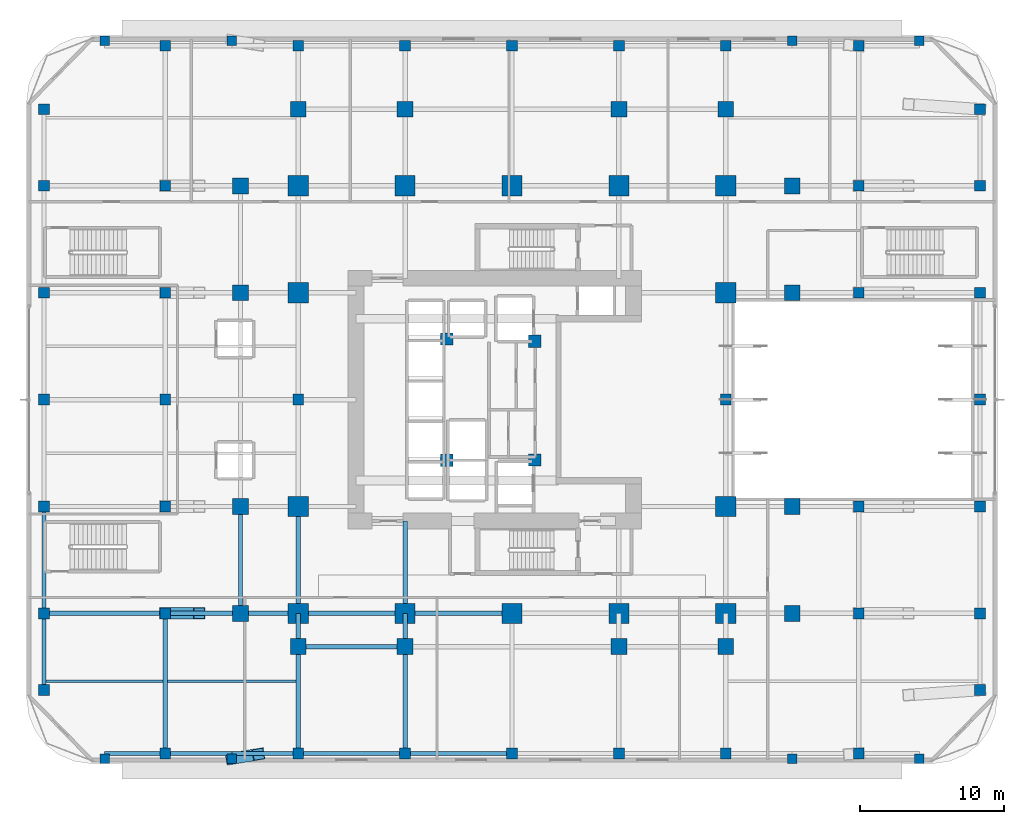
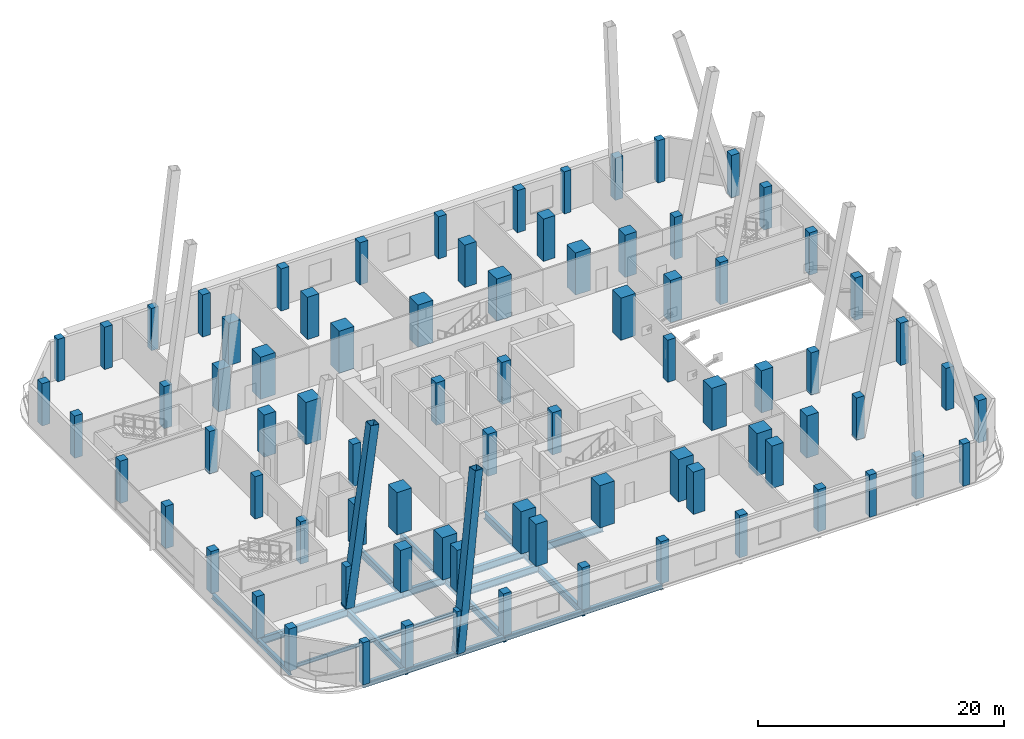
# One storey, part 1 of 23: 81 columns, 23 beams, 2 members.
"""IFC4 building model written with IfcOpenShell, lengths in metres."""

import ifcopenshell
import ifcopenshell.guid

model = None  # the IFC model being written
_history = None  # IfcOwnerHistory: only IFC2X3 demands one
_inside = {}  # id of a spatial element -> (the spatial element, [elements in it])
_under = {}  # id of a project, library or spatial element -> (it, [spatial elements below it])
_declared = {}  # id of a project -> (the project, [libraries it declares])
_typed = {}  # id of a type object -> (the type object, [elements of that type])
_made_of = {}  # id of a material, layer set ... -> (it, [elements and type objects made of it])


def new_model(schema):
    """Start an empty IFC model of exactly this schema.

    Asked for "IFC4X3", IfcOpenShell would pick the latest addendum, in which some entities
    have other attributes; the version numbers below select the first issue.
    IFC2X3 requires an IfcOwnerHistory on every rooted entity: one is made here for all.
    """
    global model, _history
    if schema == "IFC4X3":
        model = ifcopenshell.file(schema_version=(4, 3, 0, 0))
    else:
        model = ifcopenshell.file(schema=schema)
    _inside.clear()
    _under.clear()
    _declared.clear()
    _typed.clear()
    _made_of.clear()
    _history = None
    if model.schema == "IFC2X3":
        org = make("IfcOrganization", Name="unknown")
        user = make(
            "IfcPersonAndOrganization",
            ThePerson=make("IfcPerson", FamilyName="unknown"),
            TheOrganization=org,
        )
        app = make(
            "IfcApplication",
            ApplicationDeveloper=org,
            Version="unknown",
            ApplicationFullName="unknown",
            ApplicationIdentifier="unknown",
        )
        _history = make(
            "IfcOwnerHistory",
            OwningUser=user,
            OwningApplication=app,
            ChangeAction="ADDED",
            CreationDate=0,
        )
    return model


def make(cls, **values):
    """One entity of the class cls with the attributes given. An attribute that is None is left unset."""
    return model.create_entity(
        cls, **{name: value for name, value in values.items() if value is not None}
    )


def rooted(cls, **values):
    """An entity with a GlobalId (a new one), such as an element, a storey or a relation."""
    return make(cls, GlobalId=ifcopenshell.guid.new(), OwnerHistory=_history, **values)


def si_unit(unit_type, name, prefix=None):
    """IfcSIUnit, for example si_unit("LENGTHUNIT", "METRE", prefix="MILLI")."""
    return make("IfcSIUnit", UnitType=unit_type, Prefix=prefix, Name=name)


def assignment(units):
    """IfcUnitAssignment: the units of a project."""
    return None if units is None else make("IfcUnitAssignment", Units=units)


def point(xyz):
    """IfcCartesianPoint."""
    return None if xyz is None else make("IfcCartesianPoint", Coordinates=xyz)


def direction(xyz):
    """IfcDirection."""
    return None if xyz is None else make("IfcDirection", DirectionRatios=xyz)


def frame(location, z_axis=None, x_axis=None):
    """IfcAxis2Placement3D, a coordinate frame: its origin and axes. An axis left out is left unset."""
    return make(
        "IfcAxis2Placement3D",
        Location=point(location),
        Axis=direction(z_axis),
        RefDirection=direction(x_axis),
    )


def frame_2d(location, x_axis=None):
    """IfcAxis2Placement2D, a coordinate frame in the plane: its origin and x axis."""
    return make(
        "IfcAxis2Placement2D", Location=point(location), RefDirection=direction(x_axis)
    )


def origin():
    """The frame at (0, 0, 0) with its axes left unset."""
    return frame((0.0, 0.0, 0.0))


def origin_2d():
    """The frame at (0, 0) in the plane with its x axis left unset."""
    return frame_2d((0.0, 0.0))


def place(relative_to, where):
    """IfcLocalPlacement: puts the frame where relative to a parent placement (None: the world)."""
    return make(
        "IfcLocalPlacement", PlacementRelTo=relative_to, RelativePlacement=where
    )


def context(
    kind, dimensions, precision=None, world=None, true_north=None, identifier=None
):
    """IfcGeometricRepresentationContext, for example the 3D "Model" context."""
    return make(
        "IfcGeometricRepresentationContext",
        ContextIdentifier=identifier,
        ContextType=kind,
        CoordinateSpaceDimension=dimensions,
        Precision=precision,
        WorldCoordinateSystem=world,
        TrueNorth=true_north,
    )


def subcontext(parent, identifier, kind, view, scale=None):
    """IfcGeometricRepresentationSubContext, for example "Body" below "Model"."""
    return make(
        "IfcGeometricRepresentationSubContext",
        ContextIdentifier=identifier,
        ContextType=kind,
        ParentContext=parent,
        TargetScale=scale,
        TargetView=view,
    )


def project(units=None, contexts=None):
    """IfcProject with its units and contexts."""
    return rooted(
        "IfcProject",
        Name="project",
        RepresentationContexts=contexts,
        UnitsInContext=assignment(units),
    )


def spatial(cls, under=None, at=None, **own):
    """A site, building, storey or space (cls), placed at a placement, below another one or the project."""
    s = rooted(cls, ObjectPlacement=at, **own)
    if under is not None:
        _under.setdefault(under.id(), (under, []))[1].append(s)
    return s


def profile(cls, at=None, kind="AREA", **sizes):
    """A parametric profile (cls). Its sizes go by their IFC names, for example OverallWidth=200.0."""
    return make(cls, ProfileType=kind, Position=at, **sizes)


def rectangle(**sizes):
    """IfcRectangleProfileDef."""
    return profile("IfcRectangleProfileDef", **sizes)


def hollow_rectangle(**sizes):
    """IfcRectangleHollowProfileDef."""
    return profile("IfcRectangleHollowProfileDef", **sizes)


def i_section(**sizes):
    """IfcIShapeProfileDef."""
    return profile("IfcIShapeProfileDef", **sizes)


def extrude(swept, where, along, depth):
    """IfcExtrudedAreaSolid: the profile swept, set in the frame where, extruded along a direction by depth."""
    return make(
        "IfcExtrudedAreaSolid",
        SweptArea=swept,
        Position=where,
        ExtrudedDirection=direction(along),
        Depth=depth,
    )


def shape(context_of_items, identifier, shape_type, items):
    """IfcShapeRepresentation: the items that make up one representation, for example the "Body"."""
    return make(
        "IfcShapeRepresentation",
        ContextOfItems=context_of_items,
        RepresentationIdentifier=identifier,
        RepresentationType=shape_type,
        Items=items,
    )


def material(Name=None, Category=None):
    """IfcMaterial."""
    return make("IfcMaterial", Name=Name, Category=Category)


def material_profile(
    of_material, cross_section, Name=None, Category=None, Priority=None
):
    """IfcMaterialProfile: a cross section and its material."""
    return make(
        "IfcMaterialProfile",
        Name=Name,
        Material=of_material,
        Profile=cross_section,
        Priority=Priority,
        Category=Category,
    )


def profile_set(profiles, Name=None, composite=None):
    """IfcMaterialProfileSet."""
    return make(
        "IfcMaterialProfileSet",
        Name=Name,
        MaterialProfiles=profiles,
        CompositeProfile=composite,
    )


def made_of(thing, what):
    """Note that an element or type object is made of a material, layer set ...; save() writes the relation."""
    if what is not None:
        _made_of.setdefault(what.id(), (what, []))[1].append(thing)
    return thing


def type_object(cls, material=None, **own):
    """A type object (cls), such as IfcWallType, which elements share."""
    return made_of(rooted(cls, **own), material)


def element(
    cls,
    number,
    at=None,
    inside=None,
    cuts=None,
    type_object=None,
    material=None,
    context=None,
    identifier="Body",
    shape_type=None,
    held_by="IfcProductDefinitionShape",
    body=None,
    shapes=None,
    **own,
):
    """One element of the class cls, such as IfcWall. Its Tag is "e" and its number.

    at: its placement. inside: the storey or other place that contains it. cuts: it is an
    opening in that element (IfcRelVoidsElement). A single representation is given by context,
    identifier, shape_type and body (its items); several are given by shapes. held_by: the class
    of the entity that holds the representations. save() writes the other relations.
    """
    e = rooted(cls, Tag="e%d" % number, ObjectPlacement=at, **own)
    if body is not None:
        shapes = [shape(context, identifier, shape_type, body)]
    if shapes is not None:
        e.Representation = make(held_by, Representations=shapes)
    if inside is not None:
        _inside.setdefault(inside.id(), (inside, []))[1].append(e)
    if cuts is not None:
        rooted(
            "IfcRelVoidsElement", RelatingBuildingElement=cuts, RelatedOpeningElement=e
        )
    if type_object is not None:
        _typed.setdefault(type_object.id(), (type_object, []))[1].append(e)
    return made_of(e, material)


def aggregate(whole, parts):
    """IfcRelAggregates: a whole, such as a stair, and the parts it consists of."""
    return rooted("IfcRelAggregates", RelatingObject=whole, RelatedObjects=parts)


def save(model, path):
    """Write the relations noted so far, then the file.

    IfcRelAggregates (storeys below a building ...), IfcRelContainedInSpatialStructure (elements
    in a storey), IfcRelDefinesByType, IfcRelAssociatesMaterial and IfcRelDeclares: one each for
    every whole, place, type object, material and project.
    """
    for whole, parts in _under.values():
        aggregate(whole, parts)
    for where, things in _inside.values():
        rooted(
            "IfcRelContainedInSpatialStructure",
            RelatedElements=things,
            RelatingStructure=where,
        )
    for kind, things in _typed.values():
        rooted("IfcRelDefinesByType", RelatedObjects=things, RelatingType=kind)
    for what, things in _made_of.values():
        rooted("IfcRelAssociatesMaterial", RelatedObjects=things, RelatingMaterial=what)
    for by, libraries in _declared.values():
        rooted("IfcRelDeclares", RelatingContext=by, RelatedDefinitions=libraries)
    model.write(path)


model = new_model("IFC4")

# Units and contexts
model_context = context("Model", 3, precision=1e-05, world=origin(), true_north=direction((0.0, 1.0)))
body_context = subcontext(model_context, "Body", "Model", "MODEL_VIEW")
ifc_project = project(units=[si_unit("LENGTHUNIT", "METRE"), si_unit("AREAUNIT", "SQUARE_METRE"), si_unit("VOLUMEUNIT", "CUBIC_METRE"), si_unit("PLANEANGLEUNIT", "RADIAN"), si_unit("MASSUNIT", "GRAM", prefix="KILO")], contexts=[model_context])

# Site, building, storey
site_placement = place(None, origin())
site = spatial("IfcSite", under=ifc_project, at=site_placement, CompositionType="ELEMENT")
building_placement = place(site_placement, origin())
building = spatial("IfcBuilding", under=site, at=building_placement, Name="Khorvyn Point Tower", CompositionType="ELEMENT")
storey_placement = place(building_placement, frame((0.0, 0.0, 9.0)))
storey = spatial("IfcBuildingStorey", under=building, at=storey_placement, Name="L03", CompositionType="ELEMENT", Elevation=9.0)

# Columns
ifc_material_1 = material(Name="Concrete C40/50", Category="concrete")
ifc_material_profile_1 = material_profile(ifc_material_1, rectangle(XDim=0.75, YDim=0.75, at=origin_2d()))
ifc_profile_set_1 = profile_set([ifc_material_profile_1], Name="Concrete C40/50 RC750x750")
column_type_1 = type_object("IfcColumnType", Name="Concrete C40/50 Column RC750x750", PredefinedType="COLUMN", material=ifc_profile_set_1)
for number, where, z_axis, x_axis, name in (
    (1, (-32.39990234375, -14.800048828125, 0.0), (0.0, 0.0, 1.0), (1.0, 0.0, 0.0), "PC-L03--324--148"),
    (2, (-32.39990234375, -7.39990234375, 0.0), (0.0, 0.0, 1.0), (1.0, 0.0, 0.0), "PC-L03--324--074"),
    (3, (-32.39990234375, 0.0, 0.0), (0.0, 0.0, 1.0), (1.0, 0.0, 0.0), "PC-L03--324-+000"),
    (4, (-32.39990234375, 7.39990234375, 0.0), (0.0, 0.0, 1.0), (1.0, 0.0, 0.0), "PC-L03--324-+074"),
    (5, (-32.39990234375, 14.800048828125, 0.0), (0.0, 0.0, 1.0), (1.0, 0.0, 0.0), "PC-L03--324-+148"),
    (6, (-24.0, -24.5, 0.0), (0.0, 0.0, 1.0), (1.0, 0.0, 0.0), "PC-L03--240--245"),
    (7, (-24.0, -14.800048828125, 0.0), (0.0, 0.0, 1.0), (1.0, 0.0, 0.0), "PC-L03--240--148"),
    (8, (-24.0, -7.39990234375, 0.0), (0.0, 0.0, 1.0), (1.0, 0.0, 0.0), "PC-L03--240--074"),
    (9, (-24.0, 0.0, 0.0), (0.0, 0.0, 1.0), (1.0, 0.0, 0.0), "PC-L03--240-+000"),
    (10, (-24.0, 7.39990234375, 0.0), (0.0, 0.0, 1.0), (1.0, 0.0, 0.0), "PC-L03--240-+074"),
    (11, (-24.0, 14.800048828125, 0.0), (0.0, 0.0, 1.0), (1.0, 0.0, 0.0), "PC-L03--240-+148"),
    (12, (-24.0, 24.5, 0.0), (0.0, 0.0, 1.0), (1.0, 0.0, 0.0), "PC-L03--240-+245"),
    (13, (-14.800048828125, -24.5, 0.0), (0.0, 0.0, 1.0), (1.0, 0.0, 0.0), "PC-L03--148--245"),
    (14, (-14.800048828125, 0.0, 0.0), (0.0, 0.0, 1.0), (1.0, 0.0, 0.0), "PC-L03--148-+000"),
    (15, (-14.800048828125, 24.5, 0.0), (0.0, 0.0, 1.0), (1.0, 0.0, 0.0), "PC-L03--148-+245"),
    (16, (-7.39990234375, -24.5, 0.0), (0.0, 0.0, 1.0), (1.0, 0.0, 0.0), "PC-L03--074--245"),
    (17, (-7.39990234375, 24.5, 0.0), (0.0, 0.0, 1.0), (1.0, 0.0, 0.0), "PC-L03--074-+245"),
    (18, (0.0, -24.5, 0.0), (0.0, 0.0, 1.0), (1.0, 0.0, 0.0), "PC-L03-+000--245"),
    (19, (0.0, 24.5, 0.0), (0.0, 0.0, 1.0), (1.0, 0.0, 0.0), "PC-L03-+000-+245"),
    (20, (7.39990234375, -24.5, 0.0), (0.0, 0.0, 1.0), (1.0, 0.0, 0.0), "PC-L03-+074--245"),
    (21, (7.39990234375, 24.5, 0.0), (0.0, 0.0, 1.0), (1.0, 0.0, 0.0), "PC-L03-+074-+245"),
    (22, (14.800048828125, -24.5, 0.0), (0.0, 0.0, 1.0), (1.0, 0.0, 0.0), "PC-L03-+148--245"),
    (23, (14.800048828125, 0.0, 0.0), (0.0, 0.0, 1.0), (1.0, 0.0, 0.0), "PC-L03-+148-+000"),
    (24, (14.800048828125, 24.5, 0.0), (0.0, 0.0, 1.0), (1.0, 0.0, 0.0), "PC-L03-+148-+245"),
    (25, (24.0, -24.5, 0.0), (0.0, 0.0, 1.0), (1.0, 0.0, 0.0), "PC-L03-+240--245"),
    (26, (24.0, -14.800048828125, 0.0), (0.0, 0.0, 1.0), (1.0, 0.0, 0.0), "PC-L03-+240--148"),
    (27, (24.0, -7.39990234375, 0.0), (0.0, 0.0, 1.0), (1.0, 0.0, 0.0), "PC-L03-+240--074"),
    (28, (24.0, 7.39990234375, 0.0), (0.0, 0.0, 1.0), (1.0, 0.0, 0.0), "PC-L03-+240-+074"),
    (29, (24.0, 14.800048828125, 0.0), (0.0, 0.0, 1.0), (1.0, 0.0, 0.0), "PC-L03-+240-+148"),
    (30, (24.0, 24.5, 0.0), (0.0, 0.0, 1.0), (1.0, 0.0, 0.0), "PC-L03-+240-+245"),
    (31, (32.39990234375, -14.800048828125, 0.0), (0.0, 0.0, 1.0), (1.0, 0.0, 0.0), "PC-L03-+324--148"),
    (32, (32.39990234375, -7.39990234375, 0.0), (0.0, 0.0, 1.0), (1.0, 0.0, 0.0), "PC-L03-+324--074"),
    (33, (32.39990234375, 0.0, 0.0), (0.0, 0.0, 1.0), (1.0, 0.0, 0.0), "PC-L03-+324-+000"),
    (34, (32.39990234375, 7.39990234375, 0.0), (0.0, 0.0, 1.0), (1.0, 0.0, 0.0), "PC-L03-+324-+074"),
    (35, (32.39990234375, 14.800048828125, 0.0), (0.0, 0.0, 1.0), (1.0, 0.0, 0.0), "PC-L03-+324-+148"),
    (36, (-32.39990234375, -20.10009765625, 0.0), (0.0, 0.0, 1.0), (1.0, 0.0, 0.0), "PCR-L03--32--20"),
    (37, (-32.39990234375, 20.10009765625, 0.0), (0.0, 0.0, 1.0), (1.0, 0.0, 0.0), "PCR-L03--32-+20"),
    (38, (32.39990234375, -20.10009765625, 0.0), (0.0, 0.0, 1.0), (1.0, 0.0, 0.0), "PCR-L03-+32--20"),
    (39, (32.39990234375, 20.10009765625, 0.0), (0.0, 0.0, 1.0), (1.0, 0.0, 0.0), "PCR-L03-+32-+20"),
):
    element("IfcColumn", number, at=place(storey_placement, frame(where, z_axis=z_axis, x_axis=x_axis)), inside=storey, type_object=column_type_1, Name=name, PredefinedType="COLUMN", context=body_context, shape_type="SweptSolid", body=[
        extrude(rectangle(XDim=0.75, YDim=0.75, at=origin_2d()), origin(), (0.0, 0.0, 1.0), 4.199951171875),
    ])
ifc_material_profile_2 = material_profile(ifc_material_1, rectangle(XDim=0.85009765625, YDim=0.85009765625, at=origin_2d()))
ifc_profile_set_2 = profile_set([ifc_material_profile_2], Name="Concrete C40/50 RC850x850")
column_type_2 = type_object("IfcColumnType", Name="Concrete C40/50 Column RC850x850", PredefinedType="COLUMN", material=ifc_profile_set_2)
for number, where, z_axis, x_axis, name in (
    (40, (-4.52001953125, -4.199951171875, 0.0), (0.0, 0.0, 1.0), (1.0, 0.0, 0.0), "L03 Crown Core Spine Column 1"),
    (41, (1.580078125, -4.179931640625, 0.0), (0.0, 0.0, 1.0), (1.0, 0.0, 0.0), "L03 Crown Core Spine Column 2"),
    (42, (1.580078125, 4.050048828125, 0.0), (0.0, 0.0, 1.0), (1.0, 0.0, 0.0), "L03 Crown Core Spine Column 3"),
    (43, (-4.52001953125, 4.199951171875, 0.0), (0.0, 0.0, 1.0), (1.0, 0.0, 0.0), "L03 Crown Core Spine Column 4"),
):
    element("IfcColumn", number, at=place(storey_placement, frame(where, z_axis=z_axis, x_axis=x_axis)), inside=storey, type_object=column_type_2, Name=name, PredefinedType="COLUMN", context=body_context, shape_type="SweptSolid", body=[
        extrude(rectangle(XDim=0.85009765625, YDim=0.85009765625, at=origin_2d()), origin(), (0.0, 0.0, 1.0), 4.199951171875),
    ])
ifc_material_profile_3 = material_profile(ifc_material_1, rectangle(XDim=0.64990234375, YDim=0.64990234375, at=origin_2d()))
ifc_profile_set_3 = profile_set([ifc_material_profile_3], Name="Concrete C40/50 RC650x650")
column_type_3 = type_object("IfcColumnType", Name="Concrete C40/50 Pilaster RC650x650", PredefinedType="PILASTER", material=ifc_profile_set_3)
for number, where, z_axis, x_axis, name in (
    (44, (-28.199951171875, -24.85009765625, 0.0), (0.0, 0.0, 1.0), (1.0, 0.0, 0.0), "L03 Colonnade Pilaster S"),
    (45, (-28.199951171875, 24.85009765625, 0.0), (0.0, 0.0, 1.0), (1.0, 0.0, 0.0), "L03 Colonnade Pilaster N"),
    (46, (-19.39990234375, -24.85009765625, 0.0), (0.0, 0.0, 1.0), (1.0, 0.0, 0.0), "L03 Colonnade Pilaster S"),
    (47, (-19.39990234375, 24.85009765625, 0.0), (0.0, 0.0, 1.0), (1.0, 0.0, 0.0), "L03 Colonnade Pilaster N"),
    (48, (19.39990234375, -24.85009765625, 0.0), (0.0, 0.0, 1.0), (1.0, 0.0, 0.0), "L03 Colonnade Pilaster S"),
    (49, (19.39990234375, 24.85009765625, 0.0), (0.0, 0.0, 1.0), (1.0, 0.0, 0.0), "L03 Colonnade Pilaster N"),
    (50, (28.199951171875, -24.85009765625, 0.0), (0.0, 0.0, 1.0), (1.0, 0.0, 0.0), "L03 Colonnade Pilaster S"),
    (51, (28.199951171875, 24.85009765625, 0.0), (0.0, 0.0, 1.0), (1.0, 0.0, 0.0), "L03 Colonnade Pilaster N"),
):
    element("IfcColumn", number, at=place(storey_placement, frame(where, z_axis=z_axis, x_axis=x_axis)), inside=storey, type_object=column_type_3, Name=name, PredefinedType="PILASTER", context=body_context, shape_type="SweptSolid", body=[
        extrude(rectangle(XDim=0.64990234375, YDim=0.64990234375, at=origin_2d()), origin(), (0.0, 0.0, 1.0), 4.199951171875),
    ])
ifc_material_2 = material(Name="Concrete C45/55", Category="concrete")
ifc_material_profile_4 = material_profile(ifc_material_2, rectangle(XDim=1.10009765625, YDim=1.10009765625, at=origin_2d()))
ifc_profile_set_4 = profile_set([ifc_material_profile_4], Name="Concrete C45/55 RC1100x1100")
column_type_4 = type_object("IfcColumnType", Name="Concrete C45/55 Column RC1100x1100", PredefinedType="COLUMN", material=ifc_profile_set_4)
for number, where, z_axis, x_axis, name in (
    (52, (-18.800048828125, -14.800048828125, 0.0), (0.0, 0.0, 1.0), (1.0, 0.0, 0.0), "L03 Intermediate Column ICW--14"),
    (53, (-18.800048828125, -7.39990234375, 0.0), (0.0, 0.0, 1.0), (1.0, 0.0, 0.0), "L03 Intermediate Column ICW--7"),
    (54, (-18.800048828125, 7.39990234375, 0.0), (0.0, 0.0, 1.0), (1.0, 0.0, 0.0), "L03 Intermediate Column ICW-7"),
    (55, (-18.800048828125, 14.800048828125, 0.0), (0.0, 0.0, 1.0), (1.0, 0.0, 0.0), "L03 Intermediate Column ICW-14"),
    (56, (19.39990234375, -14.800048828125, 0.0), (0.0, 0.0, 1.0), (1.0, 0.0, 0.0), "L03 Intermediate Column ICE--14"),
    (57, (19.39990234375, -7.39990234375, 0.0), (0.0, 0.0, 1.0), (1.0, 0.0, 0.0), "L03 Intermediate Column ICE--7"),
    (58, (19.39990234375, 7.39990234375, 0.0), (0.0, 0.0, 1.0), (1.0, 0.0, 0.0), "L03 Intermediate Column ICE-7"),
    (59, (19.39990234375, 14.800048828125, 0.0), (0.0, 0.0, 1.0), (1.0, 0.0, 0.0), "L03 Intermediate Column ICE-14"),
    (60, (-14.800048828125, -17.10009765625, 0.0), (0.0, 0.0, 1.0), (1.0, 0.0, 0.0), "L03 Intermediate Column ICS--14"),
    (61, (-7.39990234375, -17.10009765625, 0.0), (0.0, 0.0, 1.0), (1.0, 0.0, 0.0), "L03 Intermediate Column ICS--7"),
    (62, (7.39990234375, -17.10009765625, 0.0), (0.0, 0.0, 1.0), (1.0, 0.0, 0.0), "L03 Intermediate Column ICS-7"),
    (63, (14.800048828125, -17.10009765625, 0.0), (0.0, 0.0, 1.0), (1.0, 0.0, 0.0), "L03 Intermediate Column ICS-14"),
    (64, (-14.800048828125, 20.10009765625, 0.0), (0.0, 0.0, 1.0), (1.0, 0.0, 0.0), "L03 Intermediate Column ICN--14"),
    (65, (-7.39990234375, 20.10009765625, 0.0), (0.0, 0.0, 1.0), (1.0, 0.0, 0.0), "L03 Intermediate Column ICN--7"),
    (66, (7.39990234375, 20.10009765625, 0.0), (0.0, 0.0, 1.0), (1.0, 0.0, 0.0), "L03 Intermediate Column ICN-7"),
    (67, (14.800048828125, 20.10009765625, 0.0), (0.0, 0.0, 1.0), (1.0, 0.0, 0.0), "L03 Intermediate Column ICN-14"),
):
    element("IfcColumn", number, at=place(storey_placement, frame(where, z_axis=z_axis, x_axis=x_axis)), inside=storey, type_object=column_type_4, Name=name, PredefinedType="COLUMN", context=body_context, shape_type="SweptSolid", body=[
        extrude(rectangle(XDim=1.10009765625, YDim=1.10009765625, at=origin_2d()), origin(), (0.0, 0.0, 1.0), 4.199951171875),
    ])
ifc_material_3 = material(Name="Concrete C50/60", Category="concrete")
ifc_material_profile_5 = material_profile(ifc_material_3, rectangle(XDim=1.39990234375, YDim=1.39990234375, at=origin_2d()))
ifc_profile_set_5 = profile_set([ifc_material_profile_5], Name="Concrete C50/60 RC1400x1400")
column_type_5 = type_object("IfcColumnType", Name="Concrete C50/60 Column RC1400x1400", PredefinedType="COLUMN", material=ifc_profile_set_5)
for number, where, z_axis, x_axis, name in (
    (68, (-14.800048828125, -14.800048828125, 0.0), (0.0, 0.0, 1.0), (1.0, 0.0, 0.0), "L03 Mega-Column MC-01"),
    (69, (-7.39990234375, -14.800048828125, 0.0), (0.0, 0.0, 1.0), (1.0, 0.0, 0.0), "L03 Mega-Column MC-02"),
    (70, (0.0, -14.800048828125, 0.0), (0.0, 0.0, 1.0), (1.0, 0.0, 0.0), "L03 Mega-Column MC-03"),
    (71, (7.39990234375, -14.800048828125, 0.0), (0.0, 0.0, 1.0), (1.0, 0.0, 0.0), "L03 Mega-Column MC-04"),
    (72, (14.800048828125, -14.800048828125, 0.0), (0.0, 0.0, 1.0), (1.0, 0.0, 0.0), "L03 Mega-Column MC-05"),
    (73, (-14.800048828125, 14.800048828125, 0.0), (0.0, 0.0, 1.0), (1.0, 0.0, 0.0), "L03 Mega-Column MC-06"),
    (74, (-7.39990234375, 14.800048828125, 0.0), (0.0, 0.0, 1.0), (1.0, 0.0, 0.0), "L03 Mega-Column MC-07"),
    (75, (0.0, 14.800048828125, 0.0), (0.0, 0.0, 1.0), (1.0, 0.0, 0.0), "L03 Mega-Column MC-08"),
    (76, (7.39990234375, 14.800048828125, 0.0), (0.0, 0.0, 1.0), (1.0, 0.0, 0.0), "L03 Mega-Column MC-09"),
    (77, (14.800048828125, 14.800048828125, 0.0), (0.0, 0.0, 1.0), (1.0, 0.0, 0.0), "L03 Mega-Column MC-10"),
    (78, (-14.800048828125, -7.39990234375, 0.0), (0.0, 0.0, 1.0), (1.0, 0.0, 0.0), "L03 Mega-Column MC-11"),
    (79, (-14.800048828125, 7.39990234375, 0.0), (0.0, 0.0, 1.0), (1.0, 0.0, 0.0), "L03 Mega-Column MC-12"),
    (80, (14.800048828125, -7.39990234375, 0.0), (0.0, 0.0, 1.0), (1.0, 0.0, 0.0), "L03 Mega-Column MC-13"),
    (81, (14.800048828125, 7.39990234375, 0.0), (0.0, 0.0, 1.0), (1.0, 0.0, 0.0), "L03 Mega-Column MC-14"),
):
    element("IfcColumn", number, at=place(storey_placement, frame(where, z_axis=z_axis, x_axis=x_axis)), inside=storey, type_object=column_type_5, Name=name, PredefinedType="COLUMN", context=body_context, shape_type="SweptSolid", body=[
        extrude(rectangle(XDim=1.39990234375, YDim=1.39990234375, at=origin_2d()), origin(), (0.0, 0.0, 1.0), 4.199951171875),
    ])

# Beams
ifc_material_4 = material(Name="Steel S355", Category="steel")
ifc_material_profile_6 = material_profile(ifc_material_4, i_section(OverallWidth=0.300048828125, OverallDepth=0.699951171875, WebThickness=0.012939453125, FlangeThickness=0.02392578125, at=origin_2d()))
ifc_profile_set_6 = profile_set([ifc_material_profile_6], Name="Steel S355 H700x300x13x24")
beam_type_1 = type_object("IfcBeamType", Name="Steel S355 Beam H700x300x13x24", PredefinedType="BEAM", material=ifc_profile_set_6)
beam_1_placement = place(storey_placement, frame((-32.39990234375, -14.800048828125, -0.590087890625), z_axis=(1.0, 0.0, 0.0), x_axis=(0.0, 1.0, 0.0)))
element("IfcBeam", 82, at=beam_1_placement, inside=storey, type_object=beam_type_1, Name="Beam", PredefinedType="BEAM", context=body_context, shape_type="SweptSolid", body=[
    extrude(i_section(OverallWidth=0.300048828125, OverallDepth=0.699951171875, WebThickness=0.012939453125, FlangeThickness=0.02392578125, at=origin_2d()), origin(), (0.0, 0.0, 1.0), 8.39990234375),
])
beam_2_placement = place(storey_placement, frame((-24.0, -14.800048828125, -0.590087890625), z_axis=(1.0, 0.0, 0.0), x_axis=(0.0, 1.0, 0.0)))
element("IfcBeam", 83, at=beam_2_placement, inside=storey, type_object=beam_type_1, Name="Beam", PredefinedType="BEAM", context=body_context, shape_type="SweptSolid", body=[
    extrude(i_section(OverallWidth=0.300048828125, OverallDepth=0.699951171875, WebThickness=0.012939453125, FlangeThickness=0.02392578125, at=origin_2d()), origin(), (0.0, 0.0, 1.0), 5.199951171875),
])
beam_3_placement = place(storey_placement, frame((-18.800048828125, -14.800048828125, -0.590087890625), z_axis=(1.0, 0.0, 0.0), x_axis=(0.0, 1.0, 0.0)))
element("IfcBeam", 84, at=beam_3_placement, inside=storey, type_object=beam_type_1, Name="Beam", PredefinedType="BEAM", context=body_context, shape_type="SweptSolid", body=[
    extrude(i_section(OverallWidth=0.300048828125, OverallDepth=0.699951171875, WebThickness=0.012939453125, FlangeThickness=0.02392578125, at=origin_2d()), origin(), (0.0, 0.0, 1.0), 4.0),
])
beam_4_placement = place(storey_placement, frame((-14.800048828125, -14.800048828125, -0.590087890625), z_axis=(1.0, 0.0, 0.0), x_axis=(0.0, 1.0, 0.0)))
element("IfcBeam", 85, at=beam_4_placement, inside=storey, type_object=beam_type_1, Name="Beam", PredefinedType="BEAM", context=body_context, shape_type="SweptSolid", body=[
    extrude(i_section(OverallWidth=0.300048828125, OverallDepth=0.699951171875, WebThickness=0.012939453125, FlangeThickness=0.02392578125, at=origin_2d()), origin(), (0.0, 0.0, 1.0), 7.400146484375),
])
beam_5_placement = place(storey_placement, frame((-7.39990234375, -14.800048828125, -0.590087890625), z_axis=(1.0, 0.0, 0.0), x_axis=(0.0, 1.0, 0.0)))
element("IfcBeam", 86, at=beam_5_placement, inside=storey, type_object=beam_type_1, Name="Beam", PredefinedType="BEAM", context=body_context, shape_type="SweptSolid", body=[
    extrude(i_section(OverallWidth=0.300048828125, OverallDepth=0.699951171875, WebThickness=0.012939453125, FlangeThickness=0.02392578125, at=origin_2d()), origin(), (0.0, 0.0, 1.0), 7.39990234375),
])
beam_6_placement = place(storey_placement, frame((-14.800048828125, -17.10009765625, -0.590087890625), z_axis=(1.0, 0.0, 0.0), x_axis=(0.0, 1.0, 0.0)))
element("IfcBeam", 87, at=beam_6_placement, inside=storey, type_object=beam_type_1, Name="Beam", PredefinedType="BEAM", context=body_context, shape_type="SweptSolid", body=[
    extrude(i_section(OverallWidth=0.300048828125, OverallDepth=0.699951171875, WebThickness=0.012939453125, FlangeThickness=0.02392578125, at=origin_2d()), origin(), (0.0, 0.0, 1.0), 7.400146484375),
])
beam_7_placement = place(storey_placement, frame((-24.0, -24.5, -0.590087890625), z_axis=(0.0, 1.0, 0.0), x_axis=(-1.0, 0.0, 0.0)))
element("IfcBeam", 88, at=beam_7_placement, inside=storey, type_object=beam_type_1, Name="Beam", PredefinedType="BEAM", context=body_context, shape_type="SweptSolid", body=[
    extrude(i_section(OverallWidth=0.300048828125, OverallDepth=0.699951171875, WebThickness=0.012939453125, FlangeThickness=0.02392578125, at=origin_2d()), origin(), (0.0, 0.0, 1.0), 9.699951171875),
])
beam_8_placement = place(storey_placement, frame((-14.800048828125, -24.5, -0.590087890625), z_axis=(0.0, 1.0, 0.0), x_axis=(-1.0, 0.0, 0.0)))
element("IfcBeam", 89, at=beam_8_placement, inside=storey, type_object=beam_type_1, Name="Beam", PredefinedType="BEAM", context=body_context, shape_type="SweptSolid", body=[
    extrude(i_section(OverallWidth=0.300048828125, OverallDepth=0.699951171875, WebThickness=0.012939453125, FlangeThickness=0.02392578125, at=origin_2d()), origin(), (0.0, 0.0, 1.0), 7.39990234375),
])
beam_9_placement = place(storey_placement, frame((-14.800048828125, -17.10009765625, -0.590087890625), z_axis=(0.0, 1.0, 0.0), x_axis=(-1.0, 0.0, 0.0)))
element("IfcBeam", 90, at=beam_9_placement, inside=storey, type_object=beam_type_1, Name="Beam", PredefinedType="BEAM", context=body_context, shape_type="SweptSolid", body=[
    extrude(i_section(OverallWidth=0.300048828125, OverallDepth=0.699951171875, WebThickness=0.012939453125, FlangeThickness=0.02392578125, at=origin_2d()), origin(), (0.0, 0.0, 1.0), 2.300048828125),
])
beam_10_placement = place(storey_placement, frame((-14.800048828125, -14.800048828125, -0.590087890625), z_axis=(0.0, 1.0, 0.0), x_axis=(-1.0, 0.0, 0.0)))
element("IfcBeam", 91, at=beam_10_placement, inside=storey, type_object=beam_type_1, Name="Beam", PredefinedType="BEAM", context=body_context, shape_type="SweptSolid", body=[
    extrude(i_section(OverallWidth=0.300048828125, OverallDepth=0.699951171875, WebThickness=0.012939453125, FlangeThickness=0.02392578125, at=origin_2d()), origin(), (0.0, 0.0, 1.0), 7.400146484375),
])
beam_11_placement = place(storey_placement, frame((-7.39990234375, -24.5, -0.590087890625), z_axis=(0.0, 1.0, 0.0), x_axis=(-1.0, 0.0, 0.0)))
element("IfcBeam", 92, at=beam_11_placement, inside=storey, type_object=beam_type_1, Name="Beam", PredefinedType="BEAM", context=body_context, shape_type="SweptSolid", body=[
    extrude(i_section(OverallWidth=0.300048828125, OverallDepth=0.699951171875, WebThickness=0.012939453125, FlangeThickness=0.02392578125, at=origin_2d()), origin(), (0.0, 0.0, 1.0), 7.39990234375),
])
beam_12_placement = place(storey_placement, frame((-7.39990234375, -17.10009765625, -0.590087890625), z_axis=(0.0, 1.0, 0.0), x_axis=(-1.0, 0.0, 0.0)))
element("IfcBeam", 93, at=beam_12_placement, inside=storey, type_object=beam_type_1, Name="Beam", PredefinedType="BEAM", context=body_context, shape_type="SweptSolid", body=[
    extrude(i_section(OverallWidth=0.300048828125, OverallDepth=0.699951171875, WebThickness=0.012939453125, FlangeThickness=0.02392578125, at=origin_2d()), origin(), (0.0, 0.0, 1.0), 2.300048828125),
])
beam_13_placement = place(storey_placement, frame((-7.39990234375, -14.800048828125, -0.590087890625), z_axis=(0.0, 1.0, 0.0), x_axis=(-1.0, 0.0, 0.0)))
element("IfcBeam", 94, at=beam_13_placement, inside=storey, type_object=beam_type_1, Name="Beam", PredefinedType="BEAM", context=body_context, shape_type="SweptSolid", body=[
    extrude(i_section(OverallWidth=0.300048828125, OverallDepth=0.699951171875, WebThickness=0.012939453125, FlangeThickness=0.02392578125, at=origin_2d()), origin(), (0.0, 0.0, 1.0), 6.400146484375),
])
beam_14_placement = place(storey_placement, frame((-18.800048828125, -14.800048828125, -0.590087890625), z_axis=(0.0, 1.0, 0.0), x_axis=(-1.0, 0.0, 0.0)))
element("IfcBeam", 95, at=beam_14_placement, inside=storey, type_object=beam_type_1, Name="Beam", PredefinedType="BEAM", context=body_context, shape_type="SweptSolid", body=[
    extrude(i_section(OverallWidth=0.300048828125, OverallDepth=0.699951171875, WebThickness=0.012939453125, FlangeThickness=0.02392578125, at=origin_2d()), origin(), (0.0, 0.0, 1.0), 7.400146484375),
])
ifc_material_profile_7 = material_profile(ifc_material_4, i_section(OverallWidth=0.175048828125, OverallDepth=0.35009765625, WebThickness=0.007080078125, FlangeThickness=0.010986328125, at=origin_2d()))
ifc_profile_set_7 = profile_set([ifc_material_profile_7], Name="Steel S355 H350x175x7x11")
beam_type_2 = type_object("IfcBeamType", Name="Steel S355 Joist H350x175x7x11", PredefinedType="JOIST", material=ifc_profile_set_7)
beam_15_placement = place(storey_placement, frame((-32.25, -19.5, -0.4150390625), z_axis=(1.0, 0.0, 0.0), x_axis=(0.0, 1.0, 0.0)))
element("IfcBeam", 96, at=beam_15_placement, inside=storey, type_object=beam_type_2, Name="Beam", PredefinedType="JOIST", context=body_context, shape_type="SweptSolid", body=[
    extrude(i_section(OverallWidth=0.175048828125, OverallDepth=0.35009765625, WebThickness=0.007080078125, FlangeThickness=0.010986328125, at=origin_2d()), origin(), (0.0, 0.0, 1.0), 8.10009765625),
])
beam_16_placement = place(storey_placement, frame((-23.85009765625, -19.5, -0.4150390625), z_axis=(1.0, 0.0, 0.0), x_axis=(0.0, 1.0, 0.0)))
element("IfcBeam", 97, at=beam_16_placement, inside=storey, type_object=beam_type_2, Name="Beam", PredefinedType="JOIST", context=body_context, shape_type="SweptSolid", body=[
    extrude(i_section(OverallWidth=0.175048828125, OverallDepth=0.35009765625, WebThickness=0.007080078125, FlangeThickness=0.010986328125, at=origin_2d()), origin(), (0.0, 0.0, 1.0), 8.900146484375),
])
ifc_material_profile_8 = material_profile(ifc_material_4, i_section(OverallWidth=0.300048828125, OverallDepth=0.488037109375, WebThickness=0.010986328125, FlangeThickness=0.01806640625, at=origin_2d()))
ifc_profile_set_8 = profile_set([ifc_material_profile_8], Name="Steel S355 H488x300x11x18")
beam_type_3 = type_object("IfcBeamType", Name="Steel S355 Spandrel H488x300x11x18", PredefinedType="SPANDREL", material=ifc_profile_set_8)
beam_17_placement = place(storey_placement, frame((-28.199951171875, -24.5, -0.48388671875), z_axis=(1.0, 0.0, 0.0), x_axis=(0.0, 1.0, 0.0)))
element("IfcBeam", 98, at=beam_17_placement, inside=storey, type_object=beam_type_3, Name="Beam", PredefinedType="SPANDREL", context=body_context, shape_type="SweptSolid", body=[
    extrude(i_section(OverallWidth=0.300048828125, OverallDepth=0.488037109375, WebThickness=0.010986328125, FlangeThickness=0.01806640625, at=origin_2d()), origin(), (0.0, 0.0, 1.0), 4.199951171875),
])
beam_18_placement = place(storey_placement, frame((-24.0, -24.5, -0.48388671875), z_axis=(1.0, 0.0, 0.0), x_axis=(0.0, 1.0, 0.0)))
element("IfcBeam", 99, at=beam_18_placement, inside=storey, type_object=beam_type_3, Name="Beam", PredefinedType="SPANDREL", context=body_context, shape_type="SweptSolid", body=[
    extrude(i_section(OverallWidth=0.300048828125, OverallDepth=0.488037109375, WebThickness=0.010986328125, FlangeThickness=0.01806640625, at=origin_2d()), origin(), (0.0, 0.0, 1.0), 4.60009765625),
])
beam_19_placement = place(storey_placement, frame((-19.39990234375, -24.5, -0.48388671875), z_axis=(1.0, 0.0, 0.0), x_axis=(0.0, 1.0, 0.0)))
element("IfcBeam", 100, at=beam_19_placement, inside=storey, type_object=beam_type_3, Name="Beam", PredefinedType="SPANDREL", context=body_context, shape_type="SweptSolid", body=[
    extrude(i_section(OverallWidth=0.300048828125, OverallDepth=0.488037109375, WebThickness=0.010986328125, FlangeThickness=0.01806640625, at=origin_2d()), origin(), (0.0, 0.0, 1.0), 4.599853515625),
])
beam_20_placement = place(storey_placement, frame((-14.800048828125, -24.5, -0.48388671875), z_axis=(1.0, 0.0, 0.0), x_axis=(0.0, 1.0, 0.0)))
element("IfcBeam", 101, at=beam_20_placement, inside=storey, type_object=beam_type_3, Name="Beam", PredefinedType="SPANDREL", context=body_context, shape_type="SweptSolid", body=[
    extrude(i_section(OverallWidth=0.300048828125, OverallDepth=0.488037109375, WebThickness=0.010986328125, FlangeThickness=0.01806640625, at=origin_2d()), origin(), (0.0, 0.0, 1.0), 7.400146484375),
])
beam_21_placement = place(storey_placement, frame((-7.39990234375, -24.5, -0.48388671875), z_axis=(1.0, 0.0, 0.0), x_axis=(0.0, 1.0, 0.0)))
element("IfcBeam", 102, at=beam_21_placement, inside=storey, type_object=beam_type_3, Name="Beam", PredefinedType="SPANDREL", context=body_context, shape_type="SweptSolid", body=[
    extrude(i_section(OverallWidth=0.300048828125, OverallDepth=0.488037109375, WebThickness=0.010986328125, FlangeThickness=0.01806640625, at=origin_2d()), origin(), (0.0, 0.0, 1.0), 7.39990234375),
])
beam_22_placement = place(storey_placement, frame((-32.39990234375, -20.10009765625, -0.48388671875), z_axis=(0.0, 1.0, 0.0), x_axis=(-1.0, 0.0, 0.0)))
element("IfcBeam", 103, at=beam_22_placement, inside=storey, type_object=beam_type_3, Name="Beam", PredefinedType="SPANDREL", context=body_context, shape_type="SweptSolid", body=[
    extrude(i_section(OverallWidth=0.300048828125, OverallDepth=0.488037109375, WebThickness=0.010986328125, FlangeThickness=0.01806640625, at=origin_2d()), origin(), (0.0, 0.0, 1.0), 5.300048828125),
])
beam_23_placement = place(storey_placement, frame((-32.39990234375, -14.800048828125, -0.48388671875), z_axis=(0.0, 1.0, 0.0), x_axis=(-1.0, 0.0, 0.0)))
element("IfcBeam", 104, at=beam_23_placement, inside=storey, type_object=beam_type_3, Name="Beam", PredefinedType="SPANDREL", context=body_context, shape_type="SweptSolid", body=[
    extrude(i_section(OverallWidth=0.300048828125, OverallDepth=0.488037109375, WebThickness=0.010986328125, FlangeThickness=0.01806640625, at=origin_2d()), origin(), (0.0, 0.0, 1.0), 7.400146484375),
])

# Members
ifc_material_5 = material(Name="Steel S450", Category="steel")
ifc_material_profile_9 = material_profile(ifc_material_5, hollow_rectangle(XDim=0.800048828125, YDim=0.800048828125, WallThickness=0.035888671875, at=origin_2d()))
ifc_profile_set_9 = profile_set([ifc_material_profile_9], Name="Steel S450 BOX800x800x36")
member_type = type_object("IfcMemberType", Name="Steel S450 Exoskeleton Structural Post BOX800x800x36", PredefinedType="POST", material=ifc_profile_set_9)
member_1_placement = place(storey_placement, frame((-19.39990234375, -24.85009765625, 0.0), z_axis=(0.105702707232, 0.017145126988, 0.99424995967), x_axis=(-0.160108896679, 0.987099357311, 0.0)))
element("IfcMember", 105, at=member_1_placement, inside=storey, type_object=member_type, Name="L03 to L07 Exoskeleton Transfer Post 01", PredefinedType="POST", context=body_context, shape_type="SweptSolid", body=[
    extrude(hollow_rectangle(XDim=0.800048828125, YDim=0.800048828125, WallThickness=0.035888671875, at=origin_2d()), origin(), (0.0, 0.0, 1.0), 17.50048828125),
])
member_2_placement = place(storey_placement, frame((-24.0, -14.800048828125, 0.0), z_axis=(0.13384851085, 0.0, 0.991001804309), x_axis=(0.0, 1.0, 0.0)))
element("IfcMember", 106, at=member_2_placement, inside=storey, type_object=member_type, Name="L03 to L07 Exoskeleton Transfer Post 09", PredefinedType="POST", context=body_context, shape_type="SweptSolid", body=[
    extrude(hollow_rectangle(XDim=0.800048828125, YDim=0.800048828125, WallThickness=0.035888671875, at=origin_2d()), origin(), (0.0, 0.0, 1.0), 17.557861328125),
])

save(model, "model.ifc")
